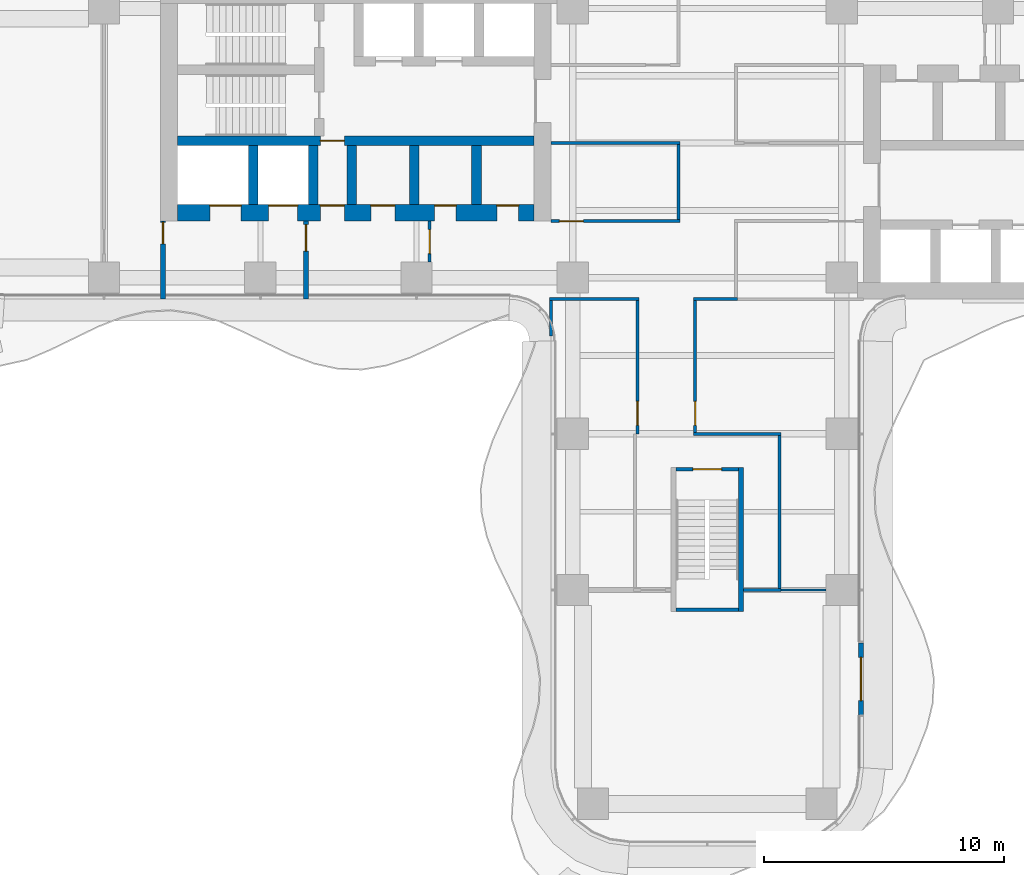
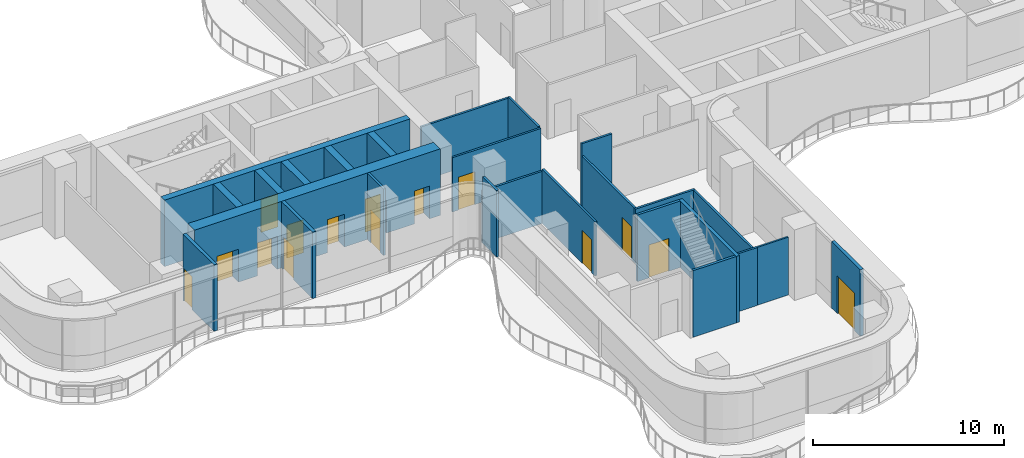
# One storey, part 16 of 21: 26 walls, 15 doors, 15 openings.
"""IFC4 building model written with IfcOpenShell, lengths in metres."""

from ifc_helpers import new_model, si_unit, direction, frame, frame_2d, origin, place, context, subcontext, project, spatial, rectangle, extrude, source, transform, mapped, material, layer, layer_set, type_object, element, fill, save


model = new_model("IFC4")

# Units and contexts
model_context = context("Model", 3, precision=1e-05, world=origin(), true_north=direction((0.0, 1.0)))
body_context = subcontext(model_context, "Body", "Model", "MODEL_VIEW")
ifc_project = project(units=[si_unit("LENGTHUNIT", "METRE"), si_unit("AREAUNIT", "SQUARE_METRE"), si_unit("VOLUMEUNIT", "CUBIC_METRE"), si_unit("PLANEANGLEUNIT", "RADIAN"), si_unit("MASSUNIT", "GRAM", prefix="KILO")], contexts=[model_context])

# Site, building, storey
site_placement = place(None, origin())
site = spatial("IfcSite", under=ifc_project, at=site_placement, CompositionType="ELEMENT")
building_placement = place(site_placement, origin())
building = spatial("IfcBuilding", under=site, at=building_placement, Name="Trellis Farm Tower", CompositionType="ELEMENT")
storey_placement = place(building_placement, frame((0.0, 0.0, 106.5)))
storey = spatial("IfcBuildingStorey", under=building, at=storey_placement, Name="L22", CompositionType="ELEMENT", Elevation=106.5)

# Walls
ifc_material_1 = material(Name="Concrete C70/85", Category="concrete")
ifc_layer_1 = layer(ifc_material_1, 0.39990234375)
ifc_layer_set_1 = layer_set([ifc_layer_1], Name="CORE INNER WALL 400 CONCRETE C70/85")
wall_type_1 = type_object("IfcWallType", Name="CORE INNER WALL 400 CONCRETE C70/85", PredefinedType="SHEAR", material=ifc_layer_set_1)
shared_shape_1 = source(origin(), body_context, "Body", "SweptSolid", [
    extrude(rectangle(XDim=2.449951171875, YDim=0.39990234375, at=frame_2d((1.22509765625, 0.0))), origin(), (0.0, 0.0, 1.0), 4.25),
])
for number, where, z_axis, x_axis, name in (
    (1, (-9.60009765625, -0.10009765625, 0.0), (0.0, 0.0, 1.0), (0.0, -1.0, 0.0), "Core wall"),
    (2, (-12.199951171875, -0.10009765625, 0.0), (0.0, 0.0, 1.0), (0.0, -1.0, 0.0), "Core wall"),
    (3, (-14.800048828125, -0.10009765625, 0.0), (0.0, 0.0, 1.0), (0.0, -1.0, 0.0), "Core wall"),
    (4, (-16.39990234375, -0.10009765625, 0.0), (0.0, 0.0, 1.0), (0.0, -1.0, 0.0), "Core wall"),
    (5, (-18.89990234375, -0.10009765625, 0.0), (0.0, 0.0, 1.0), (0.0, -1.0, 0.0), "Core wall"),
):
    element("IfcWall", number, at=place(storey_placement, frame(where, z_axis=z_axis, x_axis=x_axis)), inside=storey, type_object=wall_type_1, Name=name, PredefinedType="SHEAR", context=body_context, shape_type="MappedRepresentation", body=[
        mapped(shared_shape_1, transform((0.0, 0.0, 0.0))),
    ])

# Wall, opening, door
ifc_material_2 = material(Name="Masonry blockwork", Category="masonry")
ifc_layer_2 = layer(ifc_material_2, 0.199951171875)
ifc_layer_set_2 = layer_set([ifc_layer_2], Name="FIRE LOBBY PARTITION 200 BLOCKWORK")
wall_type_2 = type_object("IfcWallType", Name="FIRE LOBBY PARTITION 200 BLOCKWORK", PredefinedType="PARTITIONING", material=ifc_layer_set_2)
shared_shape_2 = source(origin(), body_context, "Body", "SweptSolid", [
    extrude(rectangle(XDim=3.25, YDim=0.199951171875, at=frame_2d((1.625, 0.0))), origin(), (0.0, 0.0, 1.0), 4.25),
])
wall_1_placement = place(storey_placement, frame((-16.699951171875, -3.25, 0.0), z_axis=(0.0, 0.0, 1.0), x_axis=(0.0, -1.0, 0.0)))
wall_1 = element("IfcWall", 6, at=wall_1_placement, inside=storey, type_object=wall_type_2, Name="Fire-fighting lobby partition", PredefinedType="PARTITIONING", context=body_context, shape_type="MappedRepresentation", body=[
    mapped(shared_shape_2, transform((0.0, 0.0, 0.0))),
])
shared_shape_3 = source(origin(), body_context, "Body", "SweptSolid", [
    extrude(rectangle(XDim=1.10009765625, YDim=2.10009765625, at=frame_2d((0.550048828125, 1.050048828125))), frame((0.0, 0.110107421875, 0.0), z_axis=(0.0, -1.0, 0.0), x_axis=(1.0, 0.0, 0.0)), (0.0, 0.0, 1.0), 0.22021484375),
])
opening_1_placement = place(wall_1_placement, frame((0.14990234375, 0.0, 0.0)))
opening_1 = element("IfcOpeningElement", 7, at=opening_1_placement, cuts=wall_1, Name="Opening DC93", PredefinedType="OPENING", context=body_context, shape_type="MappedRepresentation", body=[
    mapped(shared_shape_3, transform((0.0, 0.0, 0.0))),
])
ifc_material_3 = material(Name="Steel", Category="steel")
door_type_1 = type_object("IfcDoorType", Name="CORE FIRE DOOR 1100 X 2100", OperationType="NOTDEFINED", PredefinedType="DOOR", material=ifc_material_3)
shared_shape_4 = source(origin(), body_context, "Body", "SweptSolid", [
    extrude(rectangle(XDim=1.10009765625, YDim=2.10009765625, at=frame_2d((0.550048828125, 1.050048828125))), frame((0.0, 0.02490234375, 0.0), z_axis=(0.0, -1.0, 0.0), x_axis=(1.0, 0.0, 0.0)), (0.0, 0.0, 1.0), 0.050048828125),
])
door_1_placement = place(opening_1_placement, origin())
door_1 = element("IfcDoor", 8, at=door_1_placement, inside=storey, type_object=door_type_1, Name="Core door", OperationType="SINGLE_SWING_RIGHT", OverallHeight=2.10009765625, OverallWidth=1.10009765625, PredefinedType="DOOR", context=body_context, shape_type="MappedRepresentation", body=[
    mapped(shared_shape_4, transform((0.0, 0.0, 0.0))),
])
fill(opening_1, door_1)

wall_2_placement = place(storey_placement, frame((-22.64990234375, -3.25, 0.0), z_axis=(0.0, 0.0, 1.0), x_axis=(0.0, -1.0, 0.0)))
wall_2 = element("IfcWall", 9, at=wall_2_placement, inside=storey, type_object=wall_type_2, Name="Fire-fighting lobby partition", PredefinedType="PARTITIONING", context=body_context, shape_type="MappedRepresentation", body=[
    mapped(shared_shape_2, transform((0.0, 0.0, 0.0))),
])
shared_shape_5 = source(origin(), body_context, "Body", "SweptSolid", [
    extrude(rectangle(XDim=0.89990234375, YDim=2.10009765625, at=frame_2d((0.449951171875, 1.050048828125))), frame((0.0, 0.110107421875, 0.0), z_axis=(0.0, -1.0, 0.0), x_axis=(1.0, 0.0, 0.0)), (0.0, 0.0, 1.0), 0.22021484375),
])
opening_2_placement = place(wall_2_placement, frame((0.050048828125, 0.0, 0.0)))
opening_2 = element("IfcOpeningElement", 10, at=opening_2_placement, cuts=wall_2, Name="Opening DC94", PredefinedType="OPENING", context=body_context, shape_type="MappedRepresentation", body=[
    mapped(shared_shape_5, transform((0.0, 0.0, 0.0))),
])
door_type_2 = type_object("IfcDoorType", Name="CORE FIRE DOOR 900 X 2100", OperationType="NOTDEFINED", PredefinedType="DOOR", material=ifc_material_3)
shared_shape_6 = source(origin(), body_context, "Body", "SweptSolid", [
    extrude(rectangle(XDim=0.89990234375, YDim=2.10009765625, at=frame_2d((0.449951171875, 1.050048828125))), frame((0.0, 0.02490234375, 0.0), z_axis=(0.0, -1.0, 0.0), x_axis=(1.0, 0.0, 0.0)), (0.0, 0.0, 1.0), 0.050048828125),
])
door_2_placement = place(opening_2_placement, origin())
door_2 = element("IfcDoor", 11, at=door_2_placement, inside=storey, type_object=door_type_2, Name="Core door", OperationType="SINGLE_SWING_RIGHT", OverallHeight=2.10009765625, OverallWidth=0.89990234375, PredefinedType="DOOR", context=body_context, shape_type="MappedRepresentation", body=[
    mapped(shared_shape_6, transform((0.0, 0.0, 0.0))),
])
fill(opening_2, door_2)

# Wall, openings, doors
ifc_layer_3 = layer(ifc_material_1, 0.699951171875)
ifc_layer_set_3 = layer_set([ifc_layer_3], Name="CORE OUTER WALL 700 CONCRETE C70/85")
wall_type_3 = type_object("IfcWallType", Name="CORE OUTER WALL 700 CONCRETE C70/85", PredefinedType="SHEAR", material=ifc_layer_set_3)
shared_shape_7 = source(origin(), body_context, "Body", "SweptSolid", [
    extrude(rectangle(XDim=14.85009765625, YDim=0.699951171875, at=frame_2d((7.425048828125, 0.0))), origin(), (0.0, 0.0, 1.0), 4.25),
])
wall_3_placement = place(storey_placement, frame((-7.199951171875, -2.89990234375, 0.0), z_axis=(0.0, 0.0, 1.0), x_axis=(-1.0, 0.0, 0.0)))
wall_3 = element("IfcWall", 12, at=wall_3_placement, inside=storey, type_object=wall_type_3, Name="Core wall", PredefinedType="SHEAR", context=body_context, shape_type="MappedRepresentation", body=[
    mapped(shared_shape_7, transform((0.0, 0.0, 0.0))),
])
shared_shape_8 = source(origin(), body_context, "Body", "SweptSolid", [
    extrude(rectangle(XDim=1.300048828125, YDim=2.10009765625, at=frame_2d((0.64990234375, 1.050048828125))), frame((0.0, 0.360107421875, 0.0), z_axis=(0.0, -1.0, 0.0), x_axis=(1.0, 0.0, 0.0)), (0.0, 0.0, 1.0), 0.72021484375),
])
opening_3_placement = place(wall_3_placement, frame((12.199951171875, 0.0, 0.0)))
opening_3 = element("IfcOpeningElement", 13, at=opening_3_placement, cuts=wall_3, Name="Opening LD15", PredefinedType="OPENING", context=body_context, shape_type="MappedRepresentation", body=[
    mapped(shared_shape_8, transform((0.0, 0.0, 0.0))),
])
shared_shape_9 = source(origin(), body_context, "Body", "SweptSolid", [
    extrude(rectangle(XDim=1.199951171875, YDim=2.10009765625, at=frame_2d((0.60009765625, 1.050048828125))), frame((0.0, 0.360107421875, 0.0), z_axis=(0.0, -1.0, 0.0), x_axis=(1.0, 0.0, 0.0)), (0.0, 0.0, 1.0), 0.72021484375),
])
opening_4_placement = place(wall_3_placement, frame((9.85009765625, 0.0, 0.0)))
opening_4 = element("IfcOpeningElement", 14, at=opening_4_placement, cuts=wall_3, Name="Opening LD16", PredefinedType="OPENING", context=body_context, shape_type="MappedRepresentation", body=[
    mapped(shared_shape_9, transform((0.0, 0.0, 0.0))),
])
shared_shape_10 = source(origin(), body_context, "Body", "SweptSolid", [
    extrude(rectangle(XDim=1.0, YDim=2.10009765625, at=frame_2d((0.5, 1.050048828125))), frame((0.0, 0.360107421875, 0.0), z_axis=(0.0, -1.0, 0.0), x_axis=(1.0, 0.0, 0.0)), (0.0, 0.0, 1.0), 0.72021484375),
])
opening_5_placement = place(wall_3_placement, frame((7.89990234375, 0.0, 0.0)))
opening_5 = element("IfcOpeningElement", 15, at=opening_5_placement, cuts=wall_3, Name="Opening DC92", PredefinedType="OPENING", context=body_context, shape_type="MappedRepresentation", body=[
    mapped(shared_shape_10, transform((0.0, 0.0, 0.0))),
])
shared_shape_11 = source(origin(), body_context, "Body", "SweptSolid", [
    extrude(rectangle(XDim=0.89990234375, YDim=2.10009765625, at=frame_2d((0.449951171875, 1.050048828125))), frame((0.0, 0.360107421875, 0.0), z_axis=(0.0, -1.0, 0.0), x_axis=(1.0, 0.0, 0.0)), (0.0, 0.0, 1.0), 0.72021484375),
])
opening_6_placement = place(wall_3_placement, frame((0.64990234375, 0.0, 0.0)))
opening_6 = element("IfcOpeningElement", 16, at=opening_6_placement, cuts=wall_3, Name="Opening DC97", PredefinedType="OPENING", context=body_context, shape_type="MappedRepresentation", body=[
    mapped(shared_shape_11, transform((0.0, 0.0, 0.0))),
])
opening_7_placement = place(wall_3_placement, frame((3.25, 0.0, 0.0)))
opening_7 = element("IfcOpeningElement", 17, at=opening_7_placement, cuts=wall_3, Name="Opening DC110", PredefinedType="OPENING", context=body_context, shape_type="MappedRepresentation", body=[
    mapped(shared_shape_11, transform((0.0, 0.0, 0.0))),
])
opening_8_placement = place(wall_3_placement, frame((5.800048828125, 0.0, 0.0)))
opening_8 = element("IfcOpeningElement", 18, at=opening_8_placement, cuts=wall_3, Name="Opening DC123", PredefinedType="OPENING", context=body_context, shape_type="MappedRepresentation", body=[
    mapped(shared_shape_10, transform((0.0, 0.0, 0.0))),
])
door_type_3 = type_object("IfcDoorType", Name="CORE FIRE DOOR 1000 X 2100", OperationType="NOTDEFINED", PredefinedType="DOOR", material=ifc_material_3)
shared_shape_12 = source(origin(), body_context, "Body", "SweptSolid", [
    extrude(rectangle(XDim=1.0, YDim=2.10009765625, at=frame_2d((0.5, 1.050048828125))), frame((0.0, -0.27490234375, 0.0), z_axis=(0.0, -1.0, 0.0), x_axis=(1.0, 0.0, 0.0)), (0.0, 0.0, 1.0), 0.050048828125),
])
door_3_placement = place(opening_5_placement, origin())
door_3 = element("IfcDoor", 19, at=door_3_placement, inside=storey, type_object=door_type_3, Name="Core door", OperationType="SINGLE_SWING_LEFT", OverallHeight=2.10009765625, OverallWidth=1.0, PredefinedType="DOOR", context=body_context, shape_type="MappedRepresentation", body=[
    mapped(shared_shape_12, transform((0.0, 0.0, 0.0))),
])
fill(opening_5, door_3)
door_4_placement = place(opening_8_placement, origin())
door_4 = element("IfcDoor", 20, at=door_4_placement, inside=storey, type_object=door_type_3, Name="Core door", OperationType="SINGLE_SWING_LEFT", OverallHeight=2.10009765625, OverallWidth=1.0, PredefinedType="DOOR", context=body_context, shape_type="MappedRepresentation", body=[
    mapped(shared_shape_12, transform((0.0, 0.0, 0.0))),
])
fill(opening_8, door_4)
shared_shape_13 = source(origin(), body_context, "Body", "SweptSolid", [
    extrude(rectangle(XDim=0.89990234375, YDim=2.10009765625, at=frame_2d((0.449951171875, 1.050048828125))), frame((0.0, -0.27490234375, 0.0), z_axis=(0.0, -1.0, 0.0), x_axis=(1.0, 0.0, 0.0)), (0.0, 0.0, 1.0), 0.050048828125),
])
door_5_placement = place(opening_6_placement, origin())
door_5 = element("IfcDoor", 21, at=door_5_placement, inside=storey, type_object=door_type_2, Name="Core door", OperationType="SINGLE_SWING_LEFT", OverallHeight=2.10009765625, OverallWidth=0.89990234375, PredefinedType="DOOR", context=body_context, shape_type="MappedRepresentation", body=[
    mapped(shared_shape_13, transform((0.0, 0.0, 0.0))),
])
fill(opening_6, door_5)
door_6_placement = place(opening_7_placement, origin())
door_6 = element("IfcDoor", 22, at=door_6_placement, inside=storey, type_object=door_type_2, Name="Core door", OperationType="SINGLE_SWING_RIGHT", OverallHeight=2.10009765625, OverallWidth=0.89990234375, PredefinedType="DOOR", context=body_context, shape_type="MappedRepresentation", body=[
    mapped(shared_shape_13, transform((0.0, 0.0, 0.0))),
])
fill(opening_7, door_6)
ifc_material_4 = material(Name="Stainless steel", Category="steel")
door_type_4 = type_object("IfcDoorType", Name="LIFT LANDING DOOR 1300 X 2100", OperationType="DOUBLE_DOOR_SLIDING", PredefinedType="DOOR", material=ifc_material_4)
shared_shape_14 = source(origin(), body_context, "Body", "SweptSolid", [
    extrude(rectangle(XDim=1.300048828125, YDim=2.10009765625, at=frame_2d((0.64990234375, 1.050048828125))), frame((0.0, -0.27490234375, 0.0), z_axis=(0.0, -1.0, 0.0), x_axis=(1.0, 0.0, 0.0)), (0.0, 0.0, 1.0), 0.050048828125),
])
door_7_placement = place(opening_3_placement, origin())
door_7 = element("IfcDoor", 23, at=door_7_placement, inside=storey, type_object=door_type_4, Name="Lift landing door", OperationType="DOUBLE_DOOR_SLIDING", OverallHeight=2.10009765625, OverallWidth=1.300048828125, PredefinedType="DOOR", context=body_context, shape_type="MappedRepresentation", body=[
    mapped(shared_shape_14, transform((0.0, 0.0, 0.0))),
])
fill(opening_3, door_7)
door_type_5 = type_object("IfcDoorType", Name="LIFT LANDING DOOR 1200 X 2100", OperationType="DOUBLE_DOOR_SLIDING", PredefinedType="DOOR", material=ifc_material_4)
shared_shape_15 = source(origin(), body_context, "Body", "SweptSolid", [
    extrude(rectangle(XDim=1.199951171875, YDim=2.10009765625, at=frame_2d((0.60009765625, 1.050048828125))), frame((0.0, -0.27490234375, 0.0), z_axis=(0.0, -1.0, 0.0), x_axis=(1.0, 0.0, 0.0)), (0.0, 0.0, 1.0), 0.050048828125),
])
door_8_placement = place(opening_4_placement, origin())
door_8 = element("IfcDoor", 24, at=door_8_placement, inside=storey, type_object=door_type_5, Name="Lift landing door", OperationType="DOUBLE_DOOR_SLIDING", OverallHeight=2.10009765625, OverallWidth=1.199951171875, PredefinedType="DOOR", context=body_context, shape_type="MappedRepresentation", body=[
    mapped(shared_shape_15, transform((0.0, 0.0, 0.0))),
])
fill(opening_4, door_8)

# Wall, opening, door
shared_shape_16 = source(origin(), body_context, "Body", "SweptSolid", [
    extrude(rectangle(XDim=14.85009765625, YDim=0.39990234375, at=frame_2d((7.425048828125, 0.0))), origin(), (0.0, 0.0, 1.0), 4.25),
])
wall_4_placement = place(storey_placement, frame((-7.199951171875, 0.10009765625, 0.0), z_axis=(0.0, 0.0, 1.0), x_axis=(-1.0, 0.0, 0.0)))
wall_4 = element("IfcWall", 25, at=wall_4_placement, inside=storey, type_object=wall_type_1, Name="Core wall", PredefinedType="SHEAR", context=body_context, shape_type="MappedRepresentation", body=[
    mapped(shared_shape_16, transform((0.0, 0.0, 0.0))),
])
shared_shape_17 = source(origin(), body_context, "Body", "SweptSolid", [
    extrude(rectangle(XDim=1.0, YDim=2.10009765625, at=frame_2d((0.5, 1.050048828125))), frame((0.0, 0.2099609375, 0.0), z_axis=(0.0, -1.0, 0.0), x_axis=(1.0, 0.0, 0.0)), (0.0, 0.0, 1.0), 0.419921875),
])
opening_9_placement = place(wall_4_placement, frame((7.89990234375, 0.0, 0.0)))
opening_9 = element("IfcOpeningElement", 26, at=opening_9_placement, cuts=wall_4, Name="Opening DC91", PredefinedType="OPENING", context=body_context, shape_type="MappedRepresentation", body=[
    mapped(shared_shape_17, transform((0.0, 0.0, 0.0))),
])
shared_shape_18 = source(origin(), body_context, "Body", "SweptSolid", [
    extrude(rectangle(XDim=1.0, YDim=2.10009765625, at=frame_2d((0.5, 1.050048828125))), frame((0.0, 0.02490234375, 0.0), z_axis=(0.0, -1.0, 0.0), x_axis=(1.0, 0.0, 0.0)), (0.0, 0.0, 1.0), 0.050048828125),
])
door_9_placement = place(opening_9_placement, origin())
door_9 = element("IfcDoor", 27, at=door_9_placement, inside=storey, type_object=door_type_3, Name="Core door", OperationType="SINGLE_SWING_RIGHT", OverallHeight=2.10009765625, OverallWidth=1.0, PredefinedType="DOOR", context=body_context, shape_type="MappedRepresentation", body=[
    mapped(shared_shape_18, transform((0.0, 0.0, 0.0))),
])
fill(opening_9, door_9)

# Wall
ifc_layer_4 = layer(ifc_material_1, 0.199951171875)
ifc_layer_set_4 = layer_set([ifc_layer_4], Name="CORE STAIR ENCLOSURE WALL 200 CONCRETE C70/85")
wall_type_4 = type_object("IfcWallType", Name="CORE STAIR ENCLOSURE WALL 200 CONCRETE C70/85", PredefinedType="SHEAR", material=ifc_layer_set_4)
shared_shape_19 = source(origin(), body_context, "Body", "SweptSolid", [
    extrude(rectangle(XDim=6.0, YDim=0.199951171875, at=frame_2d((3.0, 0.0))), origin(), (0.0, 0.0, 1.0), 4.25),
])
wall_5_placement = place(storey_placement, frame((1.39990234375, -13.5, 0.0), z_axis=(0.0, 0.0, 1.0), x_axis=(0.0, -1.0, 0.0)))
element("IfcWall", 28, at=wall_5_placement, inside=storey, type_object=wall_type_4, Name="Stair enclosure wall", PredefinedType="SHEAR", context=body_context, shape_type="MappedRepresentation", body=[
    mapped(shared_shape_19, transform((0.0, 0.0, 0.0))),
])

# Wall, opening, door
ifc_layer_5 = layer(ifc_material_1, 0.14990234375)
ifc_layer_set_5 = layer_set([ifc_layer_5], Name="CORE STAIR ENCLOSURE WALL 150 CONCRETE C70/85")
wall_type_5 = type_object("IfcWallType", Name="CORE STAIR ENCLOSURE WALL 150 CONCRETE C70/85", PredefinedType="SHEAR", material=ifc_layer_set_5)
shared_shape_20 = source(origin(), body_context, "Body", "SweptSolid", [
    extrude(rectangle(XDim=2.60009765625, YDim=0.14990234375, at=frame_2d((1.300048828125, 0.0))), origin(), (0.0, 0.0, 1.0), 4.25),
])
wall_6_placement = place(storey_placement, frame((1.300048828125, -13.574951171875, 0.0), z_axis=(0.0, 0.0, 1.0), x_axis=(-1.0, 0.0, 0.0)))
wall_6 = element("IfcWall", 29, at=wall_6_placement, inside=storey, type_object=wall_type_5, Name="Stair enclosure wall", PredefinedType="SHEAR", context=body_context, shape_type="MappedRepresentation", body=[
    mapped(shared_shape_20, transform((0.0, 0.0, 0.0))),
])
shared_shape_21 = source(origin(), body_context, "Body", "SweptSolid", [
    extrude(rectangle(XDim=1.199951171875, YDim=2.10009765625, at=frame_2d((0.60009765625, 1.050048828125))), frame((0.0, 0.0849609375, 0.0), z_axis=(0.0, -1.0, 0.0), x_axis=(1.0, 0.0, 0.0)), (0.0, 0.0, 1.0), 0.169921875),
])
opening_10_placement = place(wall_6_placement, frame((0.699951171875, 0.0, 0.0)))
opening_10 = element("IfcOpeningElement", 30, at=opening_10_placement, cuts=wall_6, Name="Opening DC174", PredefinedType="OPENING", context=body_context, shape_type="MappedRepresentation", body=[
    mapped(shared_shape_21, transform((0.0, 0.0, 0.0))),
])
door_type_6 = type_object("IfcDoorType", Name="CORE FIRE DOOR 1200 X 2100", OperationType="NOTDEFINED", PredefinedType="DOOR", material=ifc_material_3)
shared_shape_22 = source(origin(), body_context, "Body", "SweptSolid", [
    extrude(rectangle(XDim=1.199951171875, YDim=2.10009765625, at=frame_2d((0.60009765625, 1.050048828125))), frame((0.0, 0.02490234375, 0.0), z_axis=(0.0, -1.0, 0.0), x_axis=(1.0, 0.0, 0.0)), (0.0, 0.0, 1.0), 0.050048828125),
])
door_10_placement = place(opening_10_placement, origin())
door_10 = element("IfcDoor", 31, at=door_10_placement, inside=storey, type_object=door_type_6, Name="Core door", OperationType="SINGLE_SWING_RIGHT", OverallHeight=2.10009765625, OverallWidth=1.199951171875, PredefinedType="DOOR", context=body_context, shape_type="MappedRepresentation", body=[
    mapped(shared_shape_22, transform((0.0, 0.0, 0.0))),
])
fill(opening_10, door_10)

# Wall
wall_7_placement = place(storey_placement, frame((1.300048828125, -19.425048828125, 0.0), z_axis=(0.0, 0.0, 1.0), x_axis=(-1.0, 0.0, 0.0)))
element("IfcWall", 32, at=wall_7_placement, inside=storey, type_object=wall_type_5, Name="Stair enclosure wall", PredefinedType="SHEAR", context=body_context, shape_type="MappedRepresentation", body=[
    mapped(shared_shape_20, transform((0.0, 0.0, 0.0))),
])

# Wall, opening, door
ifc_material_5 = material(Name="Sandstone faced insulated wall", Category="masonry")
ifc_layer_6 = layer(ifc_material_5, 0.199951171875)
ifc_layer_set_6 = layer_set([ifc_layer_6], Name="EXTERNAL INFILL WALL 200")
wall_type_6 = type_object("IfcWallType", Name="EXTERNAL INFILL WALL 200", PredefinedType="SOLIDWALL", material=ifc_layer_set_6)
shared_shape_23 = source(origin(), body_context, "Body", "SweptSolid", [
    extrude(rectangle(XDim=3.0, YDim=0.199951171875, at=frame_2d((1.5, 0.0))), origin(), (0.0, 0.0, 1.0), 4.25),
])
wall_8_placement = place(storey_placement, frame((6.39990234375, -23.800048828125, 0.0), z_axis=(0.0, 0.0, 1.0), x_axis=(0.0, 1.0, 0.0)))
wall_8 = element("IfcWall", 33, at=wall_8_placement, inside=storey, type_object=wall_type_6, Name="EW1 01", PredefinedType="SOLIDWALL", context=body_context, shape_type="MappedRepresentation", body=[
    mapped(shared_shape_23, transform((0.0, 0.0, 0.0))),
])
shared_shape_24 = source(origin(), body_context, "Body", "SweptSolid", [
    extrude(rectangle(XDim=1.800048828125, YDim=2.39990234375, at=frame_2d((0.89990234375, 1.199951171875))), frame((0.0, 0.110107421875, 0.0), z_axis=(0.0, -1.0, 0.0), x_axis=(1.0, 0.0, 0.0)), (0.0, 0.0, 1.0), 0.22021484375),
])
opening_11_placement = place(wall_8_placement, frame((0.60009765625, 0.0, 0.0)))
opening_11 = element("IfcOpeningElement", 34, at=opening_11_placement, cuts=wall_8, Name="Opening ED1", PredefinedType="OPENING", context=body_context, shape_type="MappedRepresentation", body=[
    mapped(shared_shape_24, transform((0.0, 0.0, 0.0))),
])
ifc_material_6 = material(Name="Aluminium framed glazed door", Category="aluminium")
door_type_7 = type_object("IfcDoorType", Name="BALCONY DOOR 1800x2400", OperationType="DOUBLE_DOOR_SINGLE_SWING", PredefinedType="DOOR", material=ifc_material_6)
shared_shape_25 = source(origin(), body_context, "Body", "SweptSolid", [
    extrude(rectangle(XDim=1.800048828125, YDim=2.39990234375, at=frame_2d((0.89990234375, 1.199951171875))), frame((0.0, 0.02490234375, 0.0), z_axis=(0.0, -1.0, 0.0), x_axis=(1.0, 0.0, 0.0)), (0.0, 0.0, 1.0), 0.050048828125),
])
door_11_placement = place(opening_11_placement, origin())
door_11 = element("IfcDoor", 35, at=door_11_placement, inside=storey, type_object=door_type_7, Name="Balcony door", OperationType="DOUBLE_DOOR_SINGLE_SWING", OverallHeight=2.39990234375, OverallWidth=1.800048828125, PredefinedType="DOOR", context=body_context, shape_type="MappedRepresentation", body=[
    mapped(shared_shape_25, transform((0.0, 0.0, 0.0))),
])
fill(opening_11, door_11)

# Wall
ifc_material_7 = material(Name="Plasterboard on steel studs, mineral wool", Category="steel")
ifc_layer_7 = layer(ifc_material_7, 0.125)
ifc_layer_set_7 = layer_set([ifc_layer_7], Name="PARTITION 125 STUD EI 60")
wall_type_7 = type_object("IfcWallType", Name="PARTITION 125 STUD EI 60", PredefinedType="PARTITIONING", material=ifc_layer_set_7)
shared_shape_26 = source(origin(), body_context, "Body", "SweptSolid", [
    extrude(rectangle(XDim=3.125, YDim=0.125, at=frame_2d((1.5625, 0.0))), origin(), (0.0, 0.0, 1.0), 3.54638671875),
])
wall_9_placement = place(storey_placement, frame((-1.199951171875, -0.0625, 0.0), z_axis=(0.0, 0.0, 1.0), x_axis=(0.0, -1.0, 0.0)))
element("IfcWall", 36, at=wall_9_placement, inside=storey, type_object=wall_type_7, Name="Partition PW1", PredefinedType="PARTITIONING", context=body_context, shape_type="MappedRepresentation", body=[
    mapped(shared_shape_26, transform((0.0, 0.0, 0.0))),
])

# Wall, opening, door
shared_shape_27 = source(origin(), body_context, "Body", "SweptSolid", [
    extrude(rectangle(XDim=5.47509765625, YDim=0.125, at=frame_2d((2.737548828125, 0.0))), origin(), (0.0, 0.0, 1.0), 3.4677734375),
])
wall_10_placement = place(storey_placement, frame((-0.5, -12.03759765625, 0.0), z_axis=(0.0, 0.0, 1.0), x_axis=(0.0, 1.0, 0.0)))
wall_10 = element("IfcWall", 37, at=wall_10_placement, inside=storey, type_object=wall_type_7, Name="Partition PW1", PredefinedType="PARTITIONING", context=body_context, shape_type="MappedRepresentation", body=[
    mapped(shared_shape_27, transform((0.0, 0.0, 0.0))),
])
shared_shape_28 = source(origin(), body_context, "Body", "SweptSolid", [
    extrude(rectangle(XDim=1.0, YDim=2.10009765625, at=frame_2d((0.5, 1.050048828125))), frame((0.0, 0.072509765625, 0.0), z_axis=(0.0, -1.0, 0.0), x_axis=(1.0, 0.0, 0.0)), (0.0, 0.0, 1.0), 0.14501953125),
])
opening_12_placement = place(wall_10_placement, frame((0.28759765625, 0.0, 0.0)))
opening_12 = element("IfcOpeningElement", 38, at=opening_12_placement, cuts=wall_10, Name="Opening D102", PredefinedType="OPENING", context=body_context, shape_type="MappedRepresentation", body=[
    mapped(shared_shape_28, transform((0.0, 0.0, 0.0))),
])
ifc_material_8 = material(Name="Fire-rated timber door leaf in a hollow metal frame", Category="wood")
door_type_8 = type_object("IfcDoorType", Name="DOOR 1000x2100 FD30S", OperationType="NOTDEFINED", PredefinedType="DOOR", material=ifc_material_8)
door_12_placement = place(opening_12_placement, origin())
door_12 = element("IfcDoor", 39, at=door_12_placement, inside=storey, type_object=door_type_8, Name="Door D102", OperationType="SINGLE_SWING_LEFT", OverallHeight=2.10009765625, OverallWidth=1.0, PredefinedType="DOOR", context=body_context, shape_type="MappedRepresentation", body=[
    mapped(shared_shape_18, transform((0.0, 0.0, 0.0))),
])
fill(opening_12, door_12)

# Wall
shared_shape_29 = source(origin(), body_context, "Body", "SweptSolid", [
    extrude(rectangle(XDim=1.468994140625, YDim=0.125, at=frame_2d((0.734375, 0.0))), origin(), (0.0, 0.0, 1.0), 4.25),
])
wall_11_placement = place(storey_placement, frame((-6.5, -6.5625, 0.0), z_axis=(0.0, 0.0, 1.0), x_axis=(0.0, -1.0, 0.0)))
element("IfcWall", 40, at=wall_11_placement, inside=storey, type_object=wall_type_7, Name="Partition PW1", PredefinedType="PARTITIONING", context=body_context, shape_type="MappedRepresentation", body=[
    mapped(shared_shape_29, transform((0.0, 0.0, 0.0))),
])

# Wall, opening, door
shared_shape_30 = source(origin(), body_context, "Body", "SweptSolid", [
    extrude(rectangle(XDim=5.362548828125, YDim=0.125, at=frame_2d((2.68115234375, 0.0))), origin(), (0.0, 0.0, 1.0), 3.4677734375),
])
wall_12_placement = place(storey_placement, frame((-1.137451171875, -3.25, 0.0), z_axis=(0.0, 0.0, 1.0), x_axis=(-1.0, 0.0, 0.0)))
wall_12 = element("IfcWall", 41, at=wall_12_placement, inside=storey, type_object=wall_type_7, Name="Partition PW1", PredefinedType="PARTITIONING", context=body_context, shape_type="MappedRepresentation", body=[
    mapped(shared_shape_30, transform((0.0, 0.0, 0.0))),
])
opening_13_placement = place(wall_12_placement, frame((4.012451171875, 0.0, 0.0)))
opening_13 = element("IfcOpeningElement", 42, at=opening_13_placement, cuts=wall_12, Name="Opening D104", PredefinedType="OPENING", context=body_context, shape_type="MappedRepresentation", body=[
    mapped(shared_shape_28, transform((0.0, 0.0, 0.0))),
])
door_13_placement = place(opening_13_placement, origin())
door_13 = element("IfcDoor", 43, at=door_13_placement, inside=storey, type_object=door_type_8, Name="Door D104", OperationType="SINGLE_SWING_RIGHT", OverallHeight=2.10009765625, OverallWidth=1.0, PredefinedType="DOOR", context=body_context, shape_type="MappedRepresentation", body=[
    mapped(shared_shape_18, transform((0.0, 0.0, 0.0))),
])
fill(opening_13, door_13)

# Walls
wall_13_placement = place(storey_placement, frame((-1.137451171875, 0.0, 0.0), z_axis=(0.0, 0.0, 1.0), x_axis=(-1.0, 0.0, 0.0)))
element("IfcWall", 44, at=wall_13_placement, inside=storey, type_object=wall_type_7, Name="Partition PW1", PredefinedType="PARTITIONING", context=body_context, shape_type="MappedRepresentation", body=[
    mapped(shared_shape_30, transform((0.0, 0.0, 0.0))),
])
shared_shape_31 = source(origin(), body_context, "Body", "SweptSolid", [
    extrude(rectangle(XDim=1.5625, YDim=0.125, at=frame_2d((0.78125, 0.0))), origin(), (0.0, 0.0, 1.0), 3.697021484375),
])
wall_14_placement = place(storey_placement, frame((3.0625, -18.60009765625, 0.0), z_axis=(0.0, 0.0, 1.0), x_axis=(-1.0, 0.0, 0.0)))
element("IfcWall", 45, at=wall_14_placement, inside=storey, type_object=wall_type_7, Name="Partition PW1", PredefinedType="PARTITIONING", context=body_context, shape_type="MappedRepresentation", body=[
    mapped(shared_shape_31, transform((0.0, 0.0, 0.0))),
])
shared_shape_32 = source(origin(), body_context, "Body", "SweptSolid", [
    extrude(rectangle(XDim=6.387451171875, YDim=0.125, at=frame_2d((3.19384765625, 0.0))), origin(), (0.0, 0.0, 1.0), 3.4677734375),
])
wall_15_placement = place(storey_placement, frame((3.0, -12.16259765625, 0.0), z_axis=(0.0, 0.0, 1.0), x_axis=(0.0, -1.0, 0.0)))
element("IfcWall", 46, at=wall_15_placement, inside=storey, type_object=wall_type_7, Name="Partition PW1", PredefinedType="PARTITIONING", context=body_context, shape_type="MappedRepresentation", body=[
    mapped(shared_shape_32, transform((0.0, 0.0, 0.0))),
])

# Wall, opening, door
shared_shape_33 = source(origin(), body_context, "Body", "SweptSolid", [
    extrude(rectangle(XDim=5.53759765625, YDim=0.125, at=frame_2d((2.768798828125, 0.0))), origin(), (0.0, 0.0, 1.0), 3.4677734375),
])
wall_16_placement = place(storey_placement, frame((-2.89990234375, -12.10009765625, 0.0), z_axis=(0.0, 0.0, 1.0), x_axis=(0.0, 1.0, 0.0)))
wall_16 = element("IfcWall", 47, at=wall_16_placement, inside=storey, type_object=wall_type_7, Name="Partition PW1", PredefinedType="PARTITIONING", context=body_context, shape_type="MappedRepresentation", body=[
    mapped(shared_shape_33, transform((0.0, 0.0, 0.0))),
])
opening_14_placement = place(wall_16_placement, frame((0.35009765625, 0.0, 0.0)))
opening_14 = element("IfcOpeningElement", 48, at=opening_14_placement, cuts=wall_16, Name="Opening D301", PredefinedType="OPENING", context=body_context, shape_type="MappedRepresentation", body=[
    mapped(shared_shape_28, transform((0.0, 0.0, 0.0))),
])
door_type_9 = type_object("IfcDoorType", Name="DOOR 1000x2100 FD60", OperationType="NOTDEFINED", PredefinedType="DOOR", material=ifc_material_8)
door_14_placement = place(opening_14_placement, origin())
door_14 = element("IfcDoor", 49, at=door_14_placement, inside=storey, type_object=door_type_9, Name="Door D301", OperationType="SINGLE_SWING_LEFT", OverallHeight=2.10009765625, OverallWidth=1.0, PredefinedType="DOOR", context=body_context, shape_type="MappedRepresentation", body=[
    mapped(shared_shape_18, transform((0.0, 0.0, 0.0))),
])
fill(opening_14, door_14)

shared_shape_34 = source(origin(), body_context, "Body", "SweptSolid", [
    extrude(rectangle(XDim=1.699951171875, YDim=0.125, at=frame_2d((0.85009765625, 0.0))), origin(), (0.0, 0.0, 1.0), 4.25),
])
wall_17_placement = place(storey_placement, frame((-11.550048828125, -4.949951171875, 0.0), z_axis=(0.0, 0.0, 1.0), x_axis=(0.0, 1.0, 0.0)))
wall_17 = element("IfcWall", 50, at=wall_17_placement, inside=storey, type_object=wall_type_7, Name="Partition PW1", PredefinedType="PARTITIONING", context=body_context, shape_type="MappedRepresentation", body=[
    mapped(shared_shape_34, transform((0.0, 0.0, 0.0))),
])
opening_15_placement = place(wall_17_placement, frame((0.35009765625, 0.0, 0.0)))
opening_15 = element("IfcOpeningElement", 51, at=opening_15_placement, cuts=wall_17, Name="Opening D302", PredefinedType="OPENING", context=body_context, shape_type="MappedRepresentation", body=[
    mapped(shared_shape_28, transform((0.0, 0.0, 0.0))),
])
door_15_placement = place(opening_15_placement, origin())
door_15 = element("IfcDoor", 52, at=door_15_placement, inside=storey, type_object=door_type_9, Name="Door D302", OperationType="SINGLE_SWING_LEFT", OverallHeight=2.10009765625, OverallWidth=1.0, PredefinedType="DOOR", context=body_context, shape_type="MappedRepresentation", body=[
    mapped(shared_shape_18, transform((0.0, 0.0, 0.0))),
])
fill(opening_15, door_15)

# Walls
shared_shape_35 = source(origin(), body_context, "Body", "SweptSolid", [
    extrude(rectangle(XDim=1.824951171875, YDim=0.125, at=frame_2d((0.91259765625, 0.0))), origin(), (0.0, 0.0, 1.0), 4.25),
])
wall_18_placement = place(storey_placement, frame((1.262451171875, -6.5, 0.0), z_axis=(0.0, 0.0, 1.0), x_axis=(-1.0, 0.0, 0.0)))
element("IfcWall", 53, at=wall_18_placement, inside=storey, type_object=wall_type_7, Name="Partition PW1", PredefinedType="PARTITIONING", context=body_context, shape_type="MappedRepresentation", body=[
    mapped(shared_shape_35, transform((0.0, 0.0, 0.0))),
])
shared_shape_36 = source(origin(), body_context, "Body", "SweptSolid", [
    extrude(rectangle(XDim=3.72509765625, YDim=0.125, at=frame_2d((1.862548828125, 0.0))), origin(), (0.0, 0.0, 1.0), 3.330078125),
])
wall_19_placement = place(storey_placement, frame((-2.83740234375, -6.5, 0.0), z_axis=(0.0, 0.0, 1.0), x_axis=(-1.0, 0.0, 0.0)))
element("IfcWall", 54, at=wall_19_placement, inside=storey, type_object=wall_type_7, Name="Partition PW1", PredefinedType="PARTITIONING", context=body_context, shape_type="MappedRepresentation", body=[
    mapped(shared_shape_36, transform((0.0, 0.0, 0.0))),
])
shared_shape_37 = source(origin(), body_context, "Body", "SweptSolid", [
    extrude(rectangle(XDim=3.625, YDim=0.125, at=frame_2d((1.8125, 0.0))), origin(), (0.0, 0.0, 1.0), 3.4677734375),
])
wall_20_placement = place(storey_placement, frame((-0.5625, -12.10009765625, 0.0), z_axis=(0.0, 0.0, 1.0), x_axis=(1.0, 0.0, 0.0)))
element("IfcWall", 55, at=wall_20_placement, inside=storey, type_object=wall_type_7, Name="Partition PW1", PredefinedType="PARTITIONING", context=body_context, shape_type="MappedRepresentation", body=[
    mapped(shared_shape_37, transform((0.0, 0.0, 0.0))),
])
ifc_material_9 = material(Name="Plasterboard on steel studs", Category="steel")
ifc_layer_8 = layer(ifc_material_9, 0.10009765625)
ifc_layer_set_8 = layer_set([ifc_layer_8], Name="PARTITION 100 STUD EI 30")
wall_type_8 = type_object("IfcWallType", Name="PARTITION 100 STUD EI 30", PredefinedType="PARTITIONING", material=ifc_layer_set_8)
shared_shape_38 = source(origin(), body_context, "Body", "SweptSolid", [
    extrude(rectangle(XDim=2.012451171875, YDim=0.10009765625, at=frame_2d((1.00634765625, 0.0))), origin(), (0.0, 0.0, 1.0), 3.697021484375),
])
wall_21_placement = place(storey_placement, frame((2.9375, -18.60009765625, 0.0), z_axis=(0.0, 0.0, 1.0), x_axis=(1.0, 0.0, 0.0)))
element("IfcWall", 56, at=wall_21_placement, inside=storey, type_object=wall_type_8, Name="Partition PW2", PredefinedType="PARTITIONING", context=body_context, shape_type="MappedRepresentation", body=[
    mapped(shared_shape_38, transform((0.0, 0.0, 0.0))),
])

save(model, "model.ifc")
